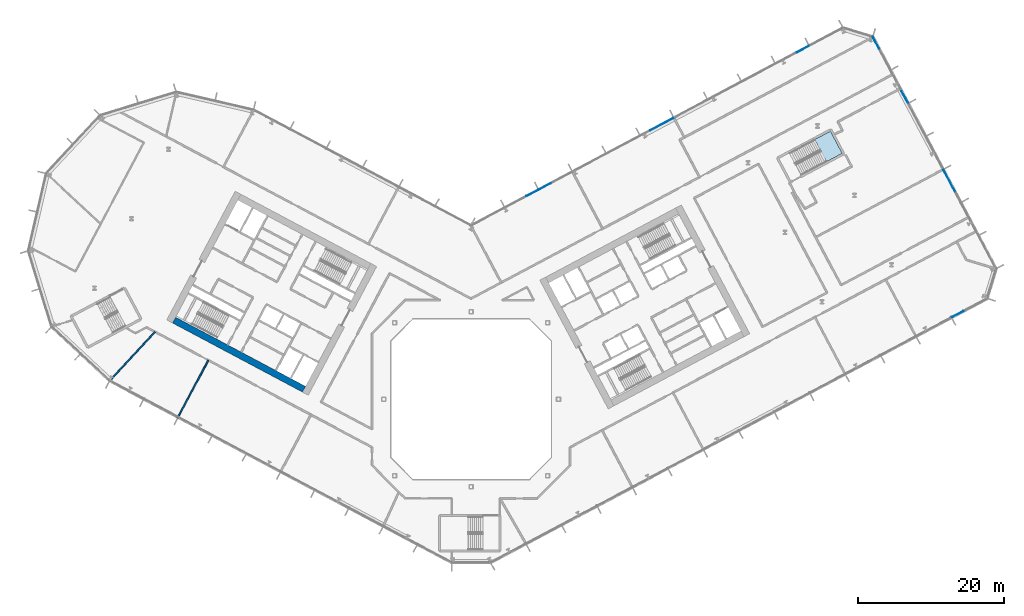
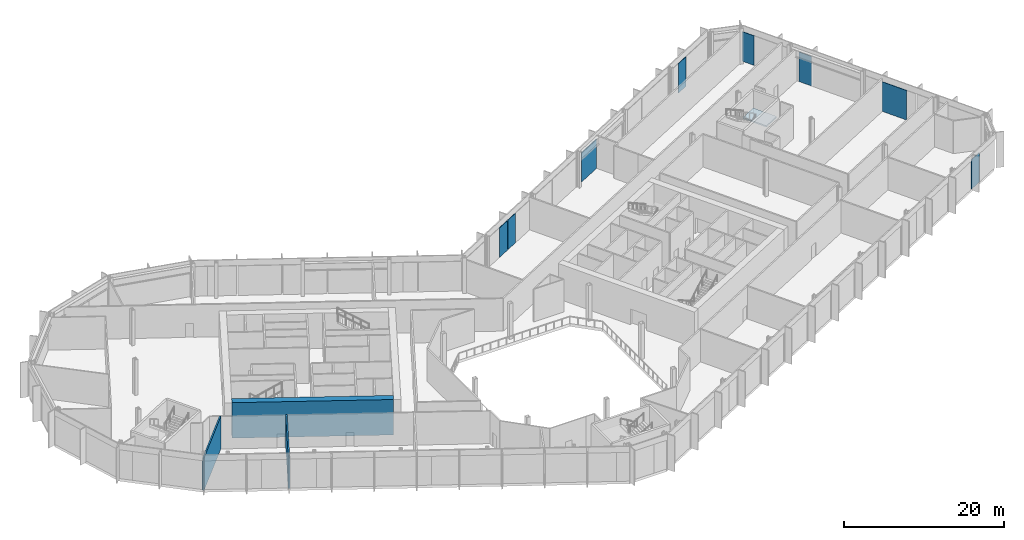
# One storey, part 11 of 32: 8 plates, 3 walls, 1 slab, 4 elements without a shape of their own.
"""IFC4 building model written with IfcOpenShell, lengths in metres."""

from ifc_helpers import new_model, si_unit, direction, frame, frame_2d, origin, origin_2d, place, context, subcontext, project, spatial, polyline, rectangle, outline, extrude, material, layer, layer_set, type_object, element, aggregate, save


model = new_model("IFC4")

# Units and contexts
model_context = context("Model", 3, precision=1e-05, world=origin(), true_north=direction((0.0, 1.0)))
body_context = subcontext(model_context, "Body", "Model", "MODEL_VIEW")
ifc_project = project(units=[si_unit("LENGTHUNIT", "METRE"), si_unit("AREAUNIT", "SQUARE_METRE"), si_unit("VOLUMEUNIT", "CUBIC_METRE"), si_unit("PLANEANGLEUNIT", "RADIAN"), si_unit("MASSUNIT", "GRAM", prefix="KILO")], contexts=[model_context])

# Site, building, storey
site_placement = place(None, origin())
site = spatial("IfcSite", under=ifc_project, at=site_placement, CompositionType="ELEMENT")
building_placement = place(site_placement, origin())
building = spatial("IfcBuilding", under=site, at=building_placement, Name="Cormorant Relay Tower", CompositionType="ELEMENT")
storey_placement = place(building_placement, frame((0.0, 0.0, 39.199951171875)))
storey = spatial("IfcBuildingStorey", under=building, at=storey_placement, Name="L07", CompositionType="ELEMENT", Elevation=39.199951171875)

# Curtain wall, plate
ifc_material_1 = material(Name="Aluminium 6063-T6 anodised bronze", Category="aluminium")
ifc_layer_1 = layer(ifc_material_1, 0.235107421875)
ifc_layer_set_1 = layer_set([ifc_layer_1], Name="CW6 data hall curtain wall with mineral wool panels")
curtain_wall_type = type_object("IfcCurtainWallType", Name="CW6 data hall curtain wall with mineral wool panels", PredefinedType="NOTDEFINED", material=ifc_layer_set_1)
curtain_wall_1_placement = place(storey_placement, origin())
curtain_wall_1 = element("IfcCurtainWall", 1, at=curtain_wall_1_placement, inside=storey, type_object=curtain_wall_type, Name="CW6 curtain wall 2", PredefinedType="NOTDEFINED")
ifc_material_2 = material(Name="Tinted triple-glazed laminated unit")
ifc_layer_2 = layer(ifc_material_2, 0.074951171875)
ifc_layer_set_2 = layer_set([ifc_layer_2], Name="CW6 triple-glazed vision unit 1800 module")
plate_type_1 = type_object("IfcPlateType", Name="CW6 triple-glazed vision unit 1800 module", PredefinedType="CURTAIN_PANEL", material=ifc_layer_set_2)
plate_1_placement = place(storey_placement, frame((66.794189453125, 11.688720703125, 0.0), z_axis=(0.0, 0.0, 1.0), x_axis=(0.882947592859, 0.469471562786, 0.0)))
plate_1 = element("IfcPlate", 2, at=plate_1_placement, type_object=plate_type_1, Name="CW6 panel V14", PredefinedType="CURTAIN_PANEL", context=body_context, shape_type="SweptSolid", body=[
    extrude(rectangle(XDim=1.800048828125, YDim=0.074951171875, at=origin_2d()), origin(), (0.0, 0.0, 1.0), 4.5),
])
aggregate(curtain_wall_1, [plate_1])

# Curtain wall, plates
curtain_wall_2_placement = place(storey_placement, origin())
curtain_wall_2 = element("IfcCurtainWall", 3, at=curtain_wall_2_placement, inside=storey, type_object=curtain_wall_type, Name="CW6 curtain wall 4", PredefinedType="NOTDEFINED")
plate_2_placement = place(storey_placement, frame((59.52587890625, 41.49169921875, 0.0), z_axis=(0.0, 0.0, 1.0), x_axis=(-0.469471562786, 0.882947592859, 0.0)))
plate_2 = element("IfcPlate", 4, at=plate_2_placement, type_object=plate_type_1, Name="CW6 panel V04", PredefinedType="CURTAIN_PANEL", context=body_context, shape_type="SweptSolid", body=[
    extrude(rectangle(XDim=1.800048828125, YDim=0.074951171875, at=origin_2d()), origin(), (0.0, 0.0, 1.0), 4.5),
])
plate_3_placement = place(storey_placement, frame((55.577392578125, 48.91796875, 0.0), z_axis=(0.0, 0.0, 1.0), x_axis=(-0.469471562786, 0.882947592859, 0.0)))
plate_3 = element("IfcPlate", 5, at=plate_3_placement, type_object=plate_type_1, Name="CW6 panel V06", PredefinedType="CURTAIN_PANEL", context=body_context, shape_type="SweptSolid", body=[
    extrude(rectangle(XDim=1.800048828125, YDim=0.074951171875, at=origin_2d()), origin(), (0.0, 0.0, 1.0), 4.5),
])

curtain_wall_3_placement = place(storey_placement, origin())
curtain_wall_3 = element("IfcCurtainWall", 6, at=curtain_wall_3_placement, inside=storey, type_object=curtain_wall_type, Name="CW6 curtain wall 6", PredefinedType="NOTDEFINED")
plate_4_placement = place(storey_placement, frame((45.543701171875, 48.04248046875, 0.0), z_axis=(0.0, 0.0, 1.0), x_axis=(-0.882947592859, -0.469471562786, 0.0)))
plate_4 = element("IfcPlate", 7, at=plate_4_placement, type_object=plate_type_1, Name="CW6 panel V01", PredefinedType="CURTAIN_PANEL", context=body_context, shape_type="SweptSolid", body=[
    extrude(rectangle(XDim=1.800048828125, YDim=0.074951171875, at=origin_2d()), origin(), (0.0, 0.0, 1.0), 4.5),
])
plate_5_placement = place(storey_placement, frame((10.127685546875, 29.21142578125, 0.0), z_axis=(0.0, 0.0, 1.0), x_axis=(-0.882947592859, -0.469471562786, 0.0)))
plate_5 = element("IfcPlate", 8, at=plate_5_placement, type_object=plate_type_1, Name="CW6 panel V07", PredefinedType="CURTAIN_PANEL", context=body_context, shape_type="SweptSolid", body=[
    extrude(rectangle(XDim=1.800048828125, YDim=0.074951171875, at=origin_2d()), origin(), (0.0, 0.0, 1.0), 4.5),
])
plate_6_placement = place(storey_placement, frame((8.406005859375, 28.2958984375, 0.0), z_axis=(0.0, 0.0, 1.0), x_axis=(-0.882947592859, -0.469471562786, 0.0)))
plate_6 = element("IfcPlate", 9, at=plate_6_placement, type_object=plate_type_1, Name="CW6 panel V08", PredefinedType="CURTAIN_PANEL", context=body_context, shape_type="SweptSolid", body=[
    extrude(rectangle(XDim=1.800048828125, YDim=0.074951171875, at=origin_2d()), origin(), (0.0, 0.0, 1.0), 4.5),
])

# Plate
ifc_material_3 = material(Name="Tinted triple-glazed laminated unit")
ifc_layer_3 = layer(ifc_material_3, 0.074951171875)
ifc_layer_set_3 = layer_set([ifc_layer_3], Name="CW6 triple-glazed vision unit 3600 module")
plate_type_2 = type_object("IfcPlateType", Name="CW6 triple-glazed vision unit 3600 module", PredefinedType="CURTAIN_PANEL", material=ifc_layer_set_3)
plate_7_placement = place(storey_placement, frame((65.69287109375, 29.8935546875, 0.0), z_axis=(0.0, 0.0, 1.0), x_axis=(-0.469471562786, 0.882947592859, 0.0)))
plate_7 = element("IfcPlate", 10, at=plate_7_placement, type_object=plate_type_2, Name="CW6 panel V02", PredefinedType="CURTAIN_PANEL", context=body_context, shape_type="SweptSolid", body=[
    extrude(rectangle(XDim=3.60009765625, YDim=0.074951171875, at=origin_2d()), origin(), (0.0, 0.0, 1.0), 4.5),
])

aggregate(curtain_wall_2, [plate_7, plate_2, plate_3])

plate_8_placement = place(storey_placement, frame((26.18017578125, 37.74658203125, 0.0), z_axis=(0.0, 0.0, 1.0), x_axis=(-0.882947592859, -0.469471562786, 0.0)))
plate_8 = element("IfcPlate", 11, at=plate_8_placement, type_object=plate_type_2, Name="CW6 panel V04", PredefinedType="CURTAIN_PANEL", context=body_context, shape_type="SweptSolid", body=[
    extrude(rectangle(XDim=3.60009765625, YDim=0.074951171875, at=origin_2d()), origin(), (0.0, 0.0, 1.0), 4.5),
])

aggregate(curtain_wall_3, [plate_4, plate_8, plate_5, plate_6])

# Stair, slab
ifc_material_4 = material(Name="Concrete 40 MPa", Category="concrete")
stair_type = type_object("IfcStairType", Name="Exit stair 1500", PredefinedType="HALF_TURN_STAIR", material=ifc_material_4)
stair_placement = place(storey_placement, origin())
stair = element("IfcStair", 12, at=stair_placement, inside=storey, type_object=stair_type, Name="L07 Stair", PredefinedType="HALF_TURN_STAIR")
ifc_material_5 = material(Name="Concrete 40 MPa", Category="concrete")
ifc_layer_4 = layer(ifc_material_5, 0.199951171875)
ifc_layer_set_4 = layer_set([ifc_layer_4], Name="Exit stair landing 200")
slab_type = type_object("IfcSlabType", Name="Exit stair landing 200", PredefinedType="LANDING", material=ifc_layer_set_4)
slab_placement = place(storey_placement, frame((0.0, 0.0, 2.5)))
slab = element("IfcSlab", 13, at=slab_placement, type_object=slab_type, Name="RB1 landing 1", PredefinedType="LANDING", context=body_context, shape_type="SweptSolid", body=[
    extrude(outline(polyline([(48.796142578125, 32.614013671875), (50.941650390625, 33.7548828125), (49.322021484375, 36.801025390625), (47.17626953125, 35.66015625), (48.796142578125, 32.614013671875)])), origin(), (0.0, 0.0, 1.0), 0.199951171875),
])
aggregate(stair, [slab])

# Walls
ifc_material_6 = material(Name="Concrete 70 MPa", Category="concrete")
ifc_layer_5 = layer(ifc_material_6, 0.89990234375)
ifc_layer_set_5 = layer_set([ifc_layer_5], Name="Core wall 900")
wall_type_1 = type_object("IfcWallType", Name="Core wall 900", PredefinedType="SHEAR", material=ifc_layer_set_5)
wall_1_placement = place(storey_placement, frame((-22.93701171875, 1.3798828125, 0.0), z_axis=(0.0, 0.0, 1.0), x_axis=(-0.88295276571, 0.46946183394, 0.0)))
element("IfcWall", 14, at=wall_1_placement, inside=storey, type_object=wall_type_1, Name="L07 core A wall", PredefinedType="SHEAR", context=body_context, shape_type="SweptSolid", body=[
    extrude(rectangle(XDim=20.199951171875, YDim=0.89990234375, at=frame_2d((10.10009765625, 0.0))), origin(), (0.0, 0.0, 1.0), 5.400146484375),
])
ifc_material_7 = material(Name="Fire-rated gypsum board partition")
ifc_layer_6 = layer(ifc_material_7, 0.199951171875)
ifc_layer_set_6 = layer_set([ifc_layer_6], Name="Fire-rated gypsum partition 200")
wall_type_2 = type_object("IfcWallType", Name="Fire-rated gypsum partition 200", PredefinedType="PARTITIONING", material=ifc_layer_set_6)
wall_2_placement = place(storey_placement, frame((-43.376953125, 9.2490234375, 0.0), z_axis=(0.0, 0.0, 1.0), x_axis=(-0.681998974138, -0.731353128984, 0.0)))
element("IfcWall", 15, at=wall_2_placement, inside=storey, type_object=wall_type_2, Name="wall/L07/part/6", PredefinedType="PARTITIONING", context=body_context, shape_type="SweptSolid", body=[
    extrude(rectangle(XDim=9.319580078125, YDim=0.199951171875, at=frame_2d((4.65966796875, 0.0))), origin(), (0.0, 0.0, 1.0), 4.949951171875),
])
wall_3_placement = place(storey_placement, frame((-36.071044921875, 5.364013671875, 0.0), z_axis=(0.0, 0.0, 1.0), x_axis=(-0.469475779988, -0.88294535052, 0.0)))
element("IfcWall", 16, at=wall_3_placement, inside=storey, type_object=wall_type_2, Name="wall/L07/part/7", PredefinedType="PARTITIONING", context=body_context, shape_type="SweptSolid", body=[
    extrude(rectangle(XDim=9.001708984375, YDim=0.199951171875, at=frame_2d((4.5009765625, 0.0))), origin(), (0.0, 0.0, 1.0), 4.949951171875),
])

save(model, "model.ifc")
